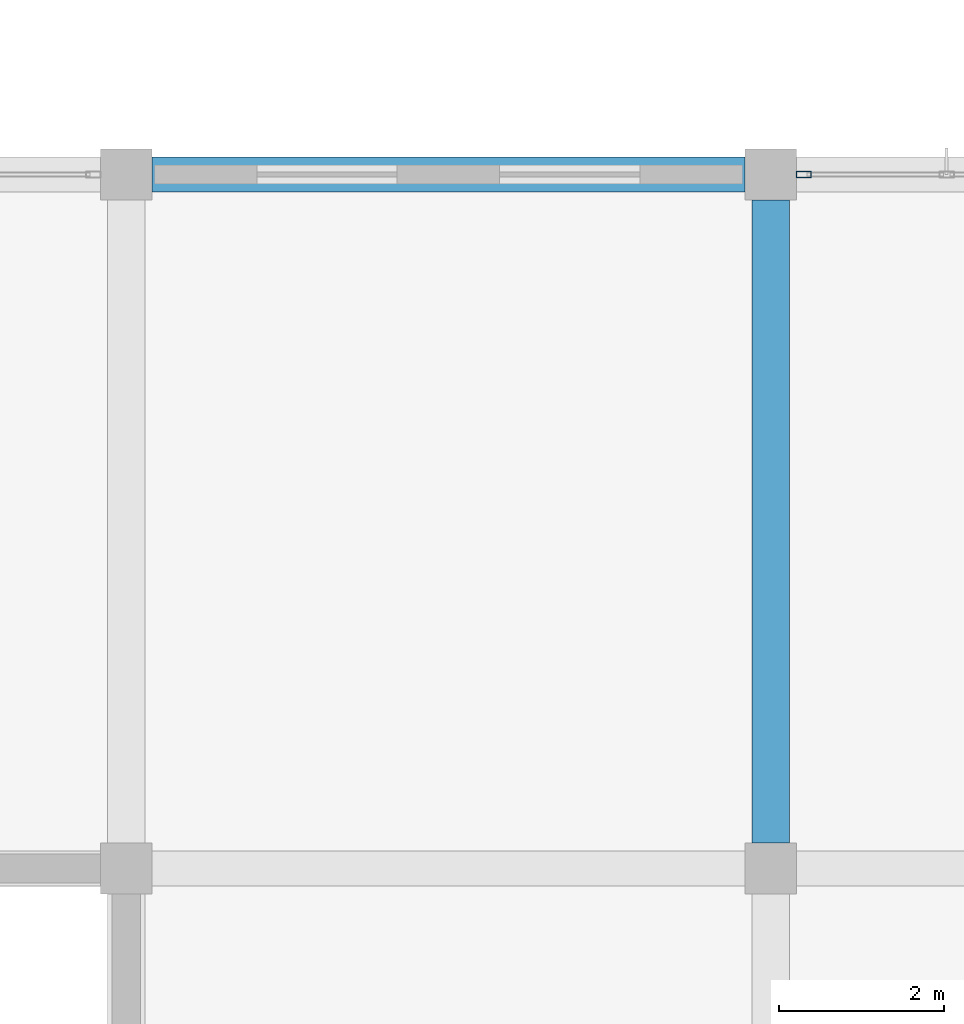
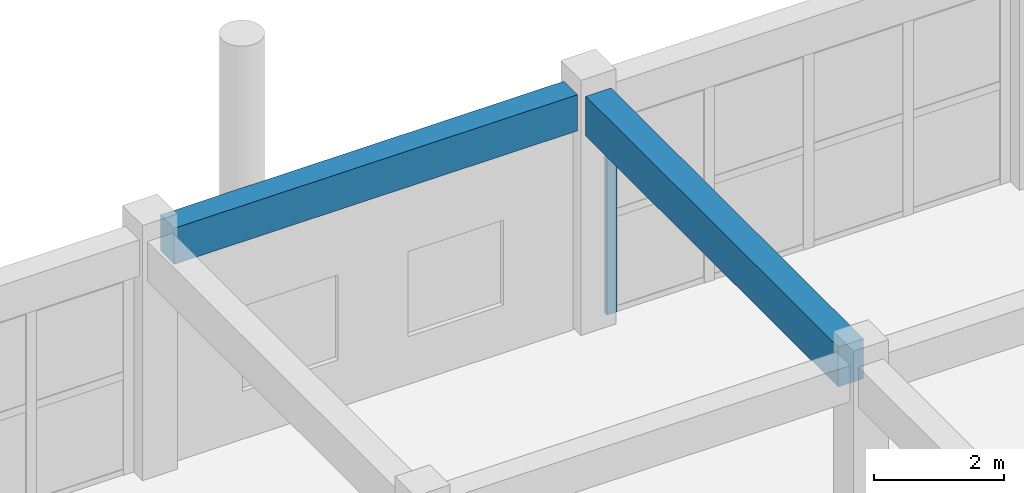
# One storey, part 113 of 167: 2 beams, 1 member, 1 element without a shape of its own.
"""IFC4 building model written with IfcOpenShell, lengths in metres."""

from ifc_helpers import new_model, si_unit, direction, frame, origin, origin_2d, place, context, subcontext, project, spatial, rectangle, hollow_rectangle, extrude, material, layer, layer_set, material_profile, profile_set, type_object, element, aggregate, save


model = new_model("IFC4")

# Units and contexts
model_context = context("Model", 3, precision=1e-05, world=origin(), true_north=direction((0.0, 1.0)))
body_context = subcontext(model_context, "Body", "Model", "MODEL_VIEW")
ifc_project = project(units=[si_unit("LENGTHUNIT", "METRE"), si_unit("AREAUNIT", "SQUARE_METRE"), si_unit("VOLUMEUNIT", "CUBIC_METRE"), si_unit("PLANEANGLEUNIT", "RADIAN"), si_unit("MASSUNIT", "GRAM", prefix="KILO")], contexts=[model_context])

# Site, building, storey
site_placement = place(None, origin())
site = spatial("IfcSite", under=ifc_project, at=site_placement, CompositionType="ELEMENT")
building_placement = place(site_placement, origin())
building = spatial("IfcBuilding", under=site, at=building_placement, Name="Zizhar Promenade General Hospital", CompositionType="ELEMENT")
storey_placement = place(building_placement, frame((0.0, 0.0, 9.60009765625)))
storey = spatial("IfcBuildingStorey", under=building, at=storey_placement, Name="L02", CompositionType="ELEMENT", Elevation=9.60009765625)

# Beams
ifc_material_1 = material(Name="Concrete C35/45", Category="concrete")
ifc_material_profile_1 = material_profile(ifc_material_1, rectangle(XDim=0.419921875, YDim=0.679931640625, at=origin_2d()))
ifc_profile_set_1 = profile_set([ifc_material_profile_1], Name="Concrete C35/45")
beam_type_1 = type_object("IfcBeamType", Name="BM-RC-420x680", PredefinedType="JOIST", material=ifc_profile_set_1)
beam_1_placement = place(storey_placement, frame((179.7099609375, 109.199951171875, 4.1298828125), z_axis=(1.0, 0.0, 0.0), x_axis=(0.0, 1.0, 0.0)))
element("IfcBeam", 1, at=beam_1_placement, inside=storey, type_object=beam_type_1, Name="Grid Beam X L02 (23-13)", PredefinedType="JOIST", context=body_context, shape_type="SweptSolid", body=[
    extrude(rectangle(XDim=0.419921875, YDim=0.679931640625, at=origin_2d()), origin(), (0.0, 0.0, 1.0), 7.179931640625),
])
ifc_material_2 = material(Name="Concrete C35/45", Category="concrete")
ifc_material_profile_2 = material_profile(ifc_material_2, rectangle(XDim=0.449951171875, YDim=0.75, at=origin_2d()))
ifc_profile_set_2 = profile_set([ifc_material_profile_2], Name="Concrete C35/45")
beam_type_2 = type_object("IfcBeamType", Name="BM-RC-450x750", PredefinedType="BEAM", material=ifc_profile_set_2)
beam_2_placement = place(storey_placement, frame((187.199951171875, 101.110107421875, 4.094970703125), z_axis=(0.0, 1.0, 0.0), x_axis=(-1.0, 0.0, 0.0)))
element("IfcBeam", 2, at=beam_2_placement, inside=storey, type_object=beam_type_2, Name="Grid Beam Y L02 (24-12)", PredefinedType="BEAM", context=body_context, shape_type="SweptSolid", body=[
    extrude(rectangle(XDim=0.449951171875, YDim=0.75, at=origin_2d()), origin(), (0.0, 0.0, 1.0), 7.77978515625),
])

# Curtain wall, member
ifc_material_3 = material(Name="Anodised aluminium 6063-T6 and low-E glass", Category="aluminium")
ifc_layer = layer(ifc_material_3, 0.159912109375)
ifc_layer_set = layer_set([ifc_layer], Name="Anodised aluminium 6063-T6 and low-E glass")
curtain_wall_type = type_object("IfcCurtainWallType", Name="CW-CLN-EXT", PredefinedType="NOTDEFINED", material=ifc_layer_set)
curtain_wall_placement = place(storey_placement, origin())
curtain_wall = element("IfcCurtainWall", 3, at=curtain_wall_placement, inside=storey, type_object=curtain_wall_type, Name="Outpatient North Curtain Wall L02-24", PredefinedType="NOTDEFINED")
ifc_material_4 = material(Name="Anodised aluminium 6063-T6", Category="aluminium")
ifc_material_profile_3 = material_profile(ifc_material_4, hollow_rectangle(XDim=0.080078125, YDim=0.179931640625, WallThickness=0.0048828125, at=origin_2d()))
ifc_profile_set_3 = profile_set([ifc_material_profile_3], Name="Anodised aluminium 6063-T6")
member_type = type_object("IfcMemberType", Name="CWM-ALU-180x80", PredefinedType="MULLION", material=ifc_profile_set_3)
member_placement = place(storey_placement, frame((187.60009765625, 109.199951171875, 0.0), z_axis=(0.0, 0.0, 1.0), x_axis=(0.0, 1.0, 0.0)))
member = element("IfcMember", 4, at=member_placement, type_object=member_type, Name="CW-09 mullion 1", PredefinedType="MULLION", context=body_context, shape_type="SweptSolid", body=[
    extrude(hollow_rectangle(XDim=0.080078125, YDim=0.179931640625, WallThickness=0.0048828125, at=origin_2d()), origin(), (0.0, 0.0, 1.0), 3.72998046875),
])
aggregate(curtain_wall, [member])

save(model, "model.ifc")
